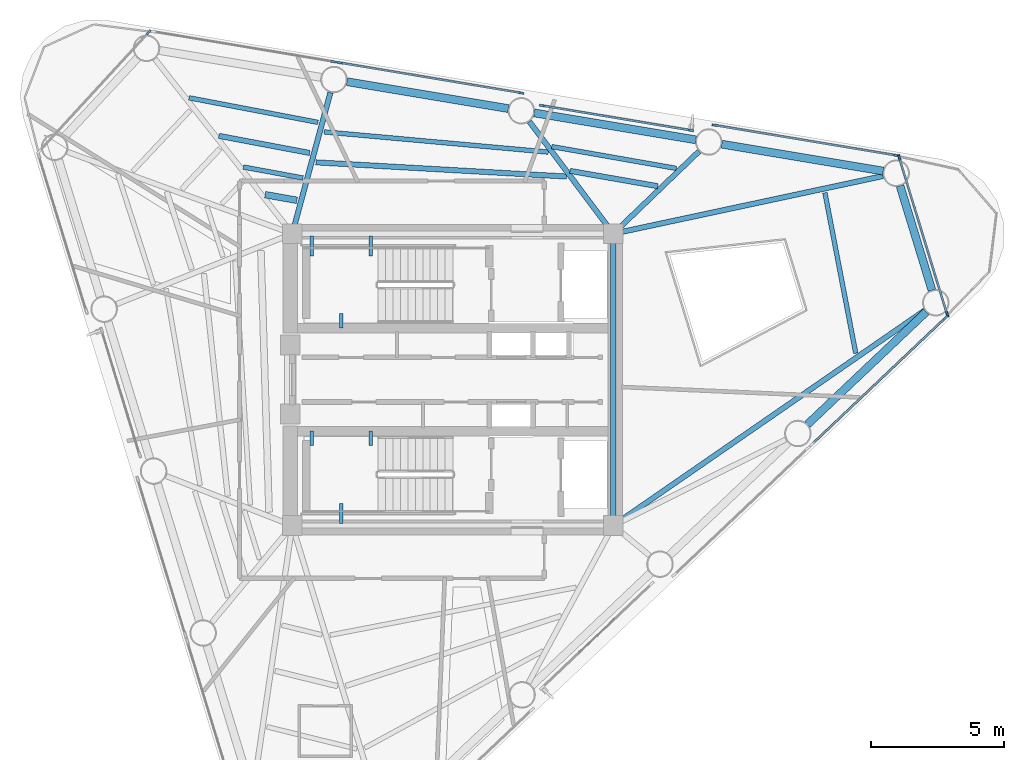
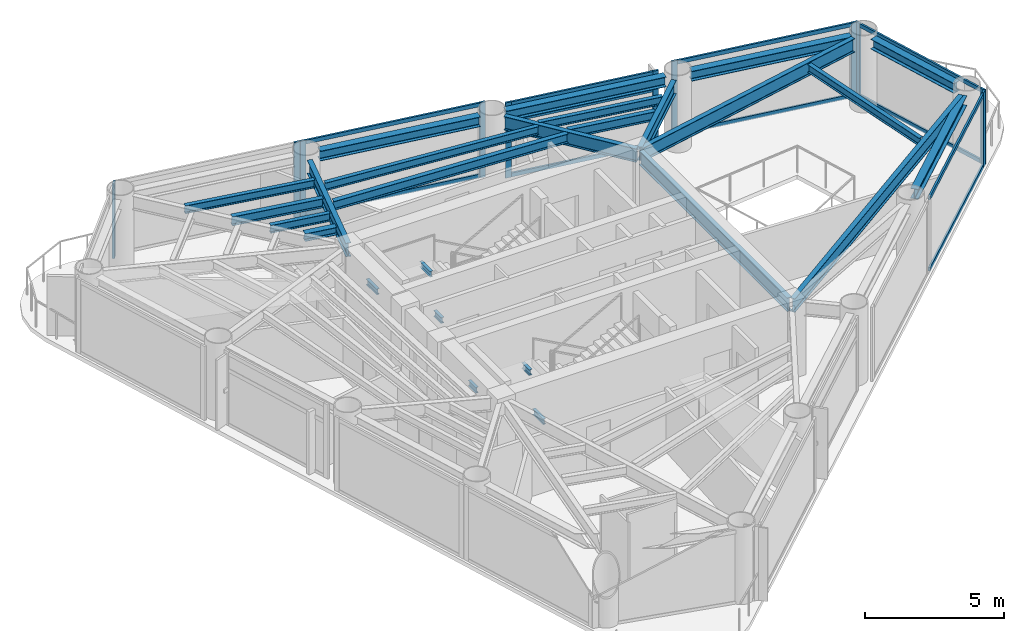
# One storey, part 3 of 9: 26 beams, 22 members, 7 elements without a shape of their own.
"""IFC4 building model written with IfcOpenShell, lengths in metres."""

from ifc_helpers import new_model, si_unit, direction, frame, origin, origin_2d, place, context, subcontext, project, spatial, rectangle, i_section, extrude, source, transform, mapped, material, layer, layer_set, material_profile, profile_set, type_object, element, aggregate, save


model = new_model("IFC4")

# Units and contexts
model_context = context("Model", 3, precision=1e-05, world=origin(), true_north=direction((0.0, 1.0)))
body_context = subcontext(model_context, "Body", "Model", "MODEL_VIEW")
ifc_project = project(units=[si_unit("LENGTHUNIT", "METRE"), si_unit("AREAUNIT", "SQUARE_METRE"), si_unit("VOLUMEUNIT", "CUBIC_METRE"), si_unit("PLANEANGLEUNIT", "RADIAN"), si_unit("MASSUNIT", "GRAM", prefix="KILO")], contexts=[model_context])

# Site, building, storey
site_placement = place(None, origin())
site = spatial("IfcSite", under=ifc_project, at=site_placement, CompositionType="ELEMENT")
building_placement = place(site_placement, origin())
building = spatial("IfcBuilding", under=site, at=building_placement, Name="Yunling Apex Tower", CompositionType="ELEMENT")
storey_placement = place(building_placement, frame((0.0, 0.0, 245.64990234375)))
storey = spatial("IfcBuildingStorey", under=building, at=storey_placement, Name="L60", CompositionType="ELEMENT", Elevation=245.64990234375)

# Beams
ifc_material_1 = material(Name="Steel Q355B", Category="steel")
ifc_material_profile_1 = material_profile(ifc_material_1, i_section(OverallWidth=0.125, OverallDepth=0.25, WebThickness=0.006103515625, FlangeThickness=0.009033203125, FilletRadius=0.011962890625, at=origin_2d()))
ifc_profile_set_1 = profile_set([ifc_material_profile_1], Name="Steel Q355B")
beam_type_1 = type_object("IfcBeamType", Name="BL-LNT-1", PredefinedType="LINTEL", material=ifc_profile_set_1)
shared_shape_1 = source(origin(), body_context, "Body", "SweptSolid", [
    extrude(i_section(OverallWidth=0.125, OverallDepth=0.25, WebThickness=0.006103515625, FlangeThickness=0.009033203125, FilletRadius=0.011962890625, at=origin_2d()), origin(), (0.0, 0.0, 1.0), 0.760009765625),
])
for number, where, z_axis, x_axis, name in (
    (1, (-5.320068359375, 5.419921875, 1.380126953125), (0.0, -1.0, 0.0), (1.0, 0.0, 0.0), "L60 ST-1 Landing Bearing Corbel 1-1"),
    (2, (-3.090087890625, 5.419921875, 1.380126953125), (0.0, -1.0, 0.0), (1.0, 0.0, 0.0), "L60 ST-1 Landing Bearing Corbel 1-2"),
    (3, (-4.205078125, -5.419921875, 1.380126953125), (0.0, 1.0, 0.0), (-1.0, 0.0, 0.0), "L60 ST-2 Landing Bearing Corbel 1-3"),
):
    element("IfcBeam", number, at=place(storey_placement, frame(where, z_axis=z_axis, x_axis=x_axis)), inside=storey, type_object=beam_type_1, Name=name, PredefinedType="LINTEL", context=body_context, shape_type="MappedRepresentation", body=[
        mapped(shared_shape_1, transform((0.0, 0.0, 0.0), scale=1.0)),
    ])
shared_shape_2 = source(origin(), body_context, "Body", "SweptSolid", [
    extrude(i_section(OverallWidth=0.125, OverallDepth=0.25, WebThickness=0.006103515625, FlangeThickness=0.009033203125, FilletRadius=0.011962890625, at=origin_2d()), origin(), (0.0, 0.0, 1.0), 0.550048828125),
])
for number, where, z_axis, x_axis, name in (
    (4, (-4.205078125, 1.93994140625, 1.380126953125), (0.0, 1.0, 0.0), (-1.0, 0.0, 0.0), "L60 ST-1 Landing Bearing Corbel 1-3"),
    (5, (-5.320068359375, -1.93994140625, 1.380126953125), (0.0, -1.0, 0.0), (1.0, 0.0, 0.0), "L60 ST-2 Landing Bearing Corbel 1-1"),
    (6, (-3.090087890625, -1.93994140625, 1.380126953125), (0.0, -1.0, 0.0), (1.0, 0.0, 0.0), "L60 ST-2 Landing Bearing Corbel 1-2"),
):
    element("IfcBeam", number, at=place(storey_placement, frame(where, z_axis=z_axis, x_axis=x_axis)), inside=storey, type_object=beam_type_1, Name=name, PredefinedType="LINTEL", context=body_context, shape_type="MappedRepresentation", body=[
        mapped(shared_shape_2, transform((0.0, 0.0, 0.0), scale=1.0)),
    ])
ifc_material_profile_2 = material_profile(ifc_material_1, i_section(OverallWidth=0.199951171875, OverallDepth=0.60009765625, WebThickness=0.010986328125, FlangeThickness=0.01708984375, FilletRadius=0.02197265625, at=origin_2d()))
ifc_profile_set_2 = profile_set([ifc_material_profile_2], Name="Steel Q355B")
beam_type_2 = type_object("IfcBeamType", Name="BG-PRI-5", PredefinedType="USERDEFINED", material=ifc_profile_set_2)
shared_shape_3 = source(origin(), body_context, "Body", "SweptSolid", [
    extrude(i_section(OverallWidth=0.199951171875, OverallDepth=0.60009765625, WebThickness=0.010986328125, FlangeThickness=0.01708984375, FilletRadius=0.02197265625, at=origin_2d()), origin(), (0.0, 0.0, 1.0), 10.7001953125),
])
beam_1_placement = place(storey_placement, frame((6.050048828125, -5.35009765625, 2.920166015625), z_axis=(0.0, 1.0, 0.0), x_axis=(-1.0, 0.0, 0.0)))
element("IfcBeam", 7, at=beam_1_placement, inside=storey, type_object=beam_type_2, Name="L60 Core Ring Tie Beam 2", ObjectType="GIRDER", PredefinedType="USERDEFINED", context=body_context, shape_type="MappedRepresentation", body=[
    mapped(shared_shape_3, transform((0.0, 0.0, 0.0), scale=1.0)),
])
ifc_material_profile_3 = material_profile(ifc_material_1, i_section(OverallWidth=0.175048828125, OverallDepth=0.35009765625, WebThickness=0.007080078125, FlangeThickness=0.010986328125, FilletRadius=0.013916015625, at=origin_2d()))
ifc_profile_set_3 = profile_set([ifc_material_profile_3], Name="Steel Q355B")
beam_type_3 = type_object("IfcBeamType", Name="BJ-JST-1", PredefinedType="JOIST", material=ifc_profile_set_3)
shared_shape_4 = source(origin(), body_context, "Body", "SweptSolid", [
    extrude(i_section(OverallWidth=0.175048828125, OverallDepth=0.35009765625, WebThickness=0.007080078125, FlangeThickness=0.010986328125, FilletRadius=0.013916015625, at=origin_2d()), origin(), (0.0, 0.0, 1.0), 4.765869140625),
])
beam_2_placement = place(storey_placement, frame((8.42578125, 7.96142578125, 3.045166015625), z_axis=(-0.985022420296, 0.17242630749, 0.0), x_axis=(-0.17242630749, -0.985022420296, 0.0)))
element("IfcBeam", 8, at=beam_2_placement, inside=storey, type_object=beam_type_3, Name="L60 Composite Floor Joist BJ1-7", PredefinedType="JOIST", context=body_context, shape_type="MappedRepresentation", body=[
    mapped(shared_shape_4, transform((0.0, 0.0, 0.0), scale=1.0)),
])
ifc_material_profile_4 = material_profile(ifc_material_1, i_section(OverallWidth=0.300048828125, OverallDepth=0.43994140625, WebThickness=0.010986328125, FlangeThickness=0.01806640625, FilletRadius=0.02197265625, at=origin_2d()))
ifc_profile_set_4 = profile_set([ifc_material_profile_4], Name="Steel Q355B")
beam_type_4 = type_object("IfcBeamType", Name="BP-SPN-3", PredefinedType="SPANDREL", material=ifc_profile_set_4)
shared_shape_5 = source(origin(), body_context, "Body", "SweptSolid", [
    extrude(i_section(OverallWidth=0.300048828125, OverallDepth=0.43994140625, WebThickness=0.010986328125, FlangeThickness=0.01806640625, FilletRadius=0.02197265625, at=origin_2d()), origin(), (0.0, 0.0, 1.0), 6.17333984375),
])
for number, where, z_axis, x_axis, name in (
    (9, (13.36572265625, -1.690185546875, 3.0), (0.725853952128, 0.687848849807, 0.0), (-0.687848849807, 0.725853952128, 0.0), "L60 Perimeter Spandrel Beam 4"),
    (10, (16.224853515625, 7.860595703125, 3.0), (-0.986400336233, 0.164360508275, 0.0), (-0.164360508275, -0.986400336233, 0.0), "L60 Perimeter Spandrel Beam 6"),
    (11, (9.160888671875, 9.03759765625, 3.0), (-0.986400336233, 0.164360508275, 0.0), (-0.164360508275, -0.986400336233, 0.0), "L60 Perimeter Spandrel Beam 7"),
    (12, (2.096923828125, 10.214599609375, 3.0), (-0.986393923832, 0.164398987305, 0.0), (-0.164398987305, -0.986393923832, 0.0), "L60 Perimeter Spandrel Beam 8"),
):
    element("IfcBeam", number, at=place(storey_placement, frame(where, z_axis=z_axis, x_axis=x_axis)), inside=storey, type_object=beam_type_4, Name=name, PredefinedType="SPANDREL", context=body_context, shape_type="MappedRepresentation", body=[
        mapped(shared_shape_5, transform((0.0, 0.0, 0.0), scale=1.0)),
    ])
shared_shape_6 = source(origin(), body_context, "Body", "SweptSolid", [
    extrude(i_section(OverallWidth=0.300048828125, OverallDepth=0.43994140625, WebThickness=0.010986328125, FlangeThickness=0.01806640625, FilletRadius=0.02197265625, at=origin_2d()), origin(), (0.0, 0.0, 1.0), 4.118408203125),
])
beam_3_placement = place(storey_placement, frame((18.060791015625, 3.368408203125, 3.0), z_axis=(-0.292369137572, 0.956305540816, 0.0), x_axis=(-0.956305540816, -0.292369137572, 0.0)))
element("IfcBeam", 13, at=beam_3_placement, inside=storey, type_object=beam_type_4, Name="L60 Perimeter Spandrel Beam 5", PredefinedType="SPANDREL", context=body_context, shape_type="MappedRepresentation", body=[
    mapped(shared_shape_6, transform((0.0, 0.0, 0.0), scale=1.0)),
])
shared_shape_7 = source(origin(), body_context, "Body", "SweptSolid", [
    extrude(i_section(OverallWidth=0.199951171875, OverallDepth=0.60009765625, WebThickness=0.010986328125, FlangeThickness=0.01708984375, FilletRadius=0.02197265625, at=origin_2d()), origin(), (0.0, 0.0, 1.0), 14.18505859375),
])
beam_4_placement = place(storey_placement, frame((17.787353515625, 2.607177734375, 2.920166015625), z_axis=(-0.822805113414, -0.568323627294, 0.0), x_axis=(0.568323627294, -0.822805113414, 0.0)))
element("IfcBeam", 14, at=beam_4_placement, inside=storey, type_object=beam_type_2, Name="L60 Radial Primary Girder R05", ObjectType="GIRDER", PredefinedType="USERDEFINED", context=body_context, shape_type="MappedRepresentation", body=[
    mapped(shared_shape_7, transform((0.0, 0.0, 0.0), scale=1.0)),
])
shared_shape_8 = source(origin(), body_context, "Body", "SweptSolid", [
    extrude(i_section(OverallWidth=0.199951171875, OverallDepth=0.60009765625, WebThickness=0.010986328125, FlangeThickness=0.01708984375, FilletRadius=0.02197265625, at=origin_2d()), origin(), (0.0, 0.0, 1.0), 10.315185546875),
])
beam_5_placement = place(storey_placement, frame((16.21533203125, 7.673095703125, 2.920166015625), z_axis=(-0.977902402009, -0.209061933755, 0.0), x_axis=(0.209061933755, -0.977902402009, 0.0)))
element("IfcBeam", 15, at=beam_5_placement, inside=storey, type_object=beam_type_2, Name="L60 Radial Primary Girder R06", ObjectType="GIRDER", PredefinedType="USERDEFINED", context=body_context, shape_type="MappedRepresentation", body=[
    mapped(shared_shape_8, transform((0.0, 0.0, 0.0), scale=1.0)),
])
shared_shape_9 = source(origin(), body_context, "Body", "SweptSolid", [
    extrude(i_section(OverallWidth=0.199951171875, OverallDepth=0.60009765625, WebThickness=0.010986328125, FlangeThickness=0.01708984375, FilletRadius=0.02197265625, at=origin_2d()), origin(), (0.0, 0.0, 1.0), 4.4013671875),
])
beam_6_placement = place(storey_placement, frame((9.28173828125, 8.6044921875, 2.920166015625), z_axis=(-0.721164480273, -0.69276387925, 0.0), x_axis=(0.69276387925, -0.721164480273, 0.0)))
element("IfcBeam", 16, at=beam_6_placement, inside=storey, type_object=beam_type_2, Name="L60 Radial Primary Girder R07", ObjectType="GIRDER", PredefinedType="USERDEFINED", context=body_context, shape_type="MappedRepresentation", body=[
    mapped(shared_shape_9, transform((0.0, 0.0, 0.0), scale=1.0)),
])
shared_shape_10 = source(origin(), body_context, "Body", "SweptSolid", [
    extrude(i_section(OverallWidth=0.199951171875, OverallDepth=0.60009765625, WebThickness=0.010986328125, FlangeThickness=0.01708984375, FilletRadius=0.02197265625, at=origin_2d()), origin(), (0.0, 0.0, 1.0), 5.1982421875),
])
beam_7_placement = place(storey_placement, frame((2.888427734375, 9.726806640625, 2.920166015625), z_axis=(0.598992593476, -0.800754564746, 0.0), x_axis=(0.800754564746, 0.598992593476, 0.0)))
element("IfcBeam", 17, at=beam_7_placement, inside=storey, type_object=beam_type_2, Name="L60 Radial Primary Girder R08", ObjectType="GIRDER", PredefinedType="USERDEFINED", context=body_context, shape_type="MappedRepresentation", body=[
    mapped(shared_shape_10, transform((0.0, 0.0, 0.0), scale=1.0)),
])
shared_shape_11 = source(origin(), body_context, "Body", "SweptSolid", [
    extrude(i_section(OverallWidth=0.199951171875, OverallDepth=0.60009765625, WebThickness=0.010986328125, FlangeThickness=0.01708984375, FilletRadius=0.02197265625, at=origin_2d()), origin(), (0.0, 0.0, 1.0), 5.43115234375),
])
beam_8_placement = place(storey_placement, frame((-4.6123046875, 10.8203125, 2.920166015625), z_axis=(-0.26085354679, -0.965378385467, 0.0), x_axis=(0.965378385467, -0.26085354679, 0.0)))
element("IfcBeam", 18, at=beam_8_placement, inside=storey, type_object=beam_type_2, Name="L60 Radial Primary Girder R09", ObjectType="GIRDER", PredefinedType="USERDEFINED", context=body_context, shape_type="MappedRepresentation", body=[
    mapped(shared_shape_11, transform((0.0, 0.0, 0.0), scale=1.0)),
])
shared_shape_12 = source(origin(), body_context, "Body", "SweptSolid", [
    extrude(i_section(OverallWidth=0.175048828125, OverallDepth=0.35009765625, WebThickness=0.007080078125, FlangeThickness=0.010986328125, FilletRadius=0.013916015625, at=origin_2d()), origin(), (0.0, 0.0, 1.0), 6.16162109375),
])
beam_9_placement = place(storey_placement, frame((15.189453125, 0.99072265625, 3.045166015625), z_axis=(-0.188765094227, 0.982022270217, 0.0), x_axis=(-0.982022270217, -0.188765094227, 0.0)))
element("IfcBeam", 19, at=beam_9_placement, inside=storey, type_object=beam_type_3, Name="L60 Composite Floor Joist BJ1-5", PredefinedType="JOIST", context=body_context, shape_type="MappedRepresentation", body=[
    mapped(shared_shape_12, transform((0.0, 0.0, 0.0), scale=1.0)),
])
ifc_material_profile_5 = material_profile(ifc_material_1, i_section(OverallWidth=0.199951171875, OverallDepth=0.39990234375, WebThickness=0.008056640625, FlangeThickness=0.012939453125, FilletRadius=0.01611328125, at=origin_2d()))
ifc_profile_set_5 = profile_set([ifc_material_profile_5], Name="Steel Q355B")
beam_type_5 = type_object("IfcBeamType", Name="BS-SEC-4", PredefinedType="BEAM", material=ifc_profile_set_5)
shared_shape_13 = source(origin(), body_context, "Body", "SweptSolid", [
    extrude(i_section(OverallWidth=0.199951171875, OverallDepth=0.39990234375, WebThickness=0.008056640625, FlangeThickness=0.012939453125, FilletRadius=0.01611328125, at=origin_2d()), origin(), (0.0, 0.0, 1.0), 3.361572265625),
])
beam_10_placement = place(storey_placement, frame((7.7275390625, 7.290283203125, 3.02001953125), z_axis=(-0.985137567958, 0.171767203496, 0.0), x_axis=(-0.171767203496, -0.985137567958, 0.0)))
element("IfcBeam", 20, at=beam_10_placement, inside=storey, type_object=beam_type_5, Name="L60 Composite Floor Beam BS-7", PredefinedType="BEAM", context=body_context, shape_type="MappedRepresentation", body=[
    mapped(shared_shape_13, transform((0.0, 0.0, 0.0), scale=1.0)),
])
shared_shape_14 = source(origin(), body_context, "Body", "SweptSolid", [
    extrude(i_section(OverallWidth=0.199951171875, OverallDepth=0.39990234375, WebThickness=0.008056640625, FlangeThickness=0.012939453125, FilletRadius=0.01611328125, at=origin_2d()), origin(), (0.0, 0.0, 1.0), 9.461669921875),
])
beam_11_placement = place(storey_placement, frame((4.28564453125, 7.654541015625, 3.02001953125), z_axis=(-0.998399180074, 0.05656038567, 0.0), x_axis=(-0.05656038567, -0.998399180074, 0.0)))
element("IfcBeam", 21, at=beam_11_placement, inside=storey, type_object=beam_type_5, Name="L60 Composite Floor Beam BS-8", PredefinedType="BEAM", context=body_context, shape_type="MappedRepresentation", body=[
    mapped(shared_shape_14, transform((0.0, 0.0, 0.0), scale=1.0)),
])
shared_shape_15 = source(origin(), body_context, "Body", "SweptSolid", [
    extrude(i_section(OverallWidth=0.175048828125, OverallDepth=0.35009765625, WebThickness=0.007080078125, FlangeThickness=0.010986328125, FilletRadius=0.013916015625, at=origin_2d()), origin(), (0.0, 0.0, 1.0), 8.485107421875),
])
beam_12_placement = place(storey_placement, frame((3.60107421875, 8.575439453125, 3.045166015625), z_axis=(-0.995954531999, 0.089858612221, 0.0), x_axis=(-0.089858612221, -0.995954531999, 0.0)))
element("IfcBeam", 22, at=beam_12_placement, inside=storey, type_object=beam_type_3, Name="L60 Composite Floor Joist BJ1-8", PredefinedType="JOIST", context=body_context, shape_type="MappedRepresentation", body=[
    mapped(shared_shape_15, transform((0.0, 0.0, 0.0), scale=1.0)),
])
shared_shape_16 = source(origin(), body_context, "Body", "SweptSolid", [
    extrude(i_section(OverallWidth=0.199951171875, OverallDepth=0.39990234375, WebThickness=0.008056640625, FlangeThickness=0.012939453125, FilletRadius=0.01611328125, at=origin_2d()), origin(), (0.0, 0.0, 1.0), 3.482421875),
])
beam_13_placement = place(storey_placement, frame((-5.392822265625, 8.54296875, 3.02001953125), z_axis=(-0.98272425545, 0.185075762191, 0.0), x_axis=(-0.185075762191, -0.98272425545, 0.0)))
element("IfcBeam", 23, at=beam_13_placement, inside=storey, type_object=beam_type_5, Name="L60 Composite Floor Beam BS-9", PredefinedType="BEAM", context=body_context, shape_type="MappedRepresentation", body=[
    mapped(shared_shape_16, transform((0.0, 0.0, 0.0), scale=1.0)),
])
shared_shape_17 = source(origin(), body_context, "Body", "SweptSolid", [
    extrude(i_section(OverallWidth=0.175048828125, OverallDepth=0.35009765625, WebThickness=0.007080078125, FlangeThickness=0.010986328125, FilletRadius=0.013916015625, at=origin_2d()), origin(), (0.0, 0.0, 1.0), 4.949951171875),
])
beam_14_placement = place(storey_placement, frame((-5.081298828125, 9.69677734375, 3.045166015625), z_axis=(-0.982345041362, 0.187078111256, 0.0), x_axis=(-0.187078111256, -0.982345041362, 0.0)))
element("IfcBeam", 24, at=beam_14_placement, inside=storey, type_object=beam_type_3, Name="L60 Composite Floor Joist BJ1-9", PredefinedType="JOIST", context=body_context, shape_type="MappedRepresentation", body=[
    mapped(shared_shape_17, transform((0.0, 0.0, 0.0), scale=1.0)),
])
shared_shape_18 = source(origin(), body_context, "Body", "SweptSolid", [
    extrude(i_section(OverallWidth=0.175048828125, OverallDepth=0.35009765625, WebThickness=0.007080078125, FlangeThickness=0.010986328125, FilletRadius=0.013916015625, at=origin_2d()), origin(), (0.0, 0.0, 1.0), 2.28173828125),
])
beam_15_placement = place(storey_placement, frame((-5.64794921875, 7.5986328125, 3.045166015625), z_axis=(-0.983336596367, 0.181794219503, 0.0), x_axis=(-0.181794219503, -0.983336596367, 0.0)))
element("IfcBeam", 25, at=beam_15_placement, inside=storey, type_object=beam_type_3, Name="L60 Composite Floor Joist BJ3-9", PredefinedType="JOIST", context=body_context, shape_type="MappedRepresentation", body=[
    mapped(shared_shape_18, transform((0.0, 0.0, 0.0), scale=1.0)),
])
ifc_material_profile_6 = material_profile(ifc_material_1, i_section(OverallWidth=0.25, OverallDepth=0.340087890625, WebThickness=0.009033203125, FlangeThickness=0.013916015625, FilletRadius=0.01806640625, at=origin_2d()))
ifc_profile_set_6 = profile_set([ifc_material_profile_6], Name="Steel Q355B")
beam_type_6 = type_object("IfcBeamType", Name="BJ-JST-2", PredefinedType="JOIST", material=ifc_profile_set_6)
shared_shape_19 = source(origin(), body_context, "Body", "SweptSolid", [
    extrude(i_section(OverallWidth=0.25, OverallDepth=0.340087890625, WebThickness=0.009033203125, FlangeThickness=0.013916015625, FilletRadius=0.01806640625, at=origin_2d()), origin(), (0.0, 0.0, 1.0), 1.214111328125),
])
beam_16_placement = place(storey_placement, frame((-5.875, 6.758544921875, 3.050048828125), z_axis=(-0.98465170233, 0.174530871477, 0.0), x_axis=(-0.174530871477, -0.98465170233, 0.0)))
element("IfcBeam", 26, at=beam_16_placement, inside=storey, type_object=beam_type_6, Name="L60 Composite Floor Joist BJ2-9", PredefinedType="JOIST", context=body_context, shape_type="MappedRepresentation", body=[
    mapped(shared_shape_19, transform((0.0, 0.0, 0.0), scale=1.0)),
])

# Curtain wall, member
ifc_material_2 = material(Name="Bronze anodised aluminium", Category="aluminium")
ifc_layer = layer(ifc_material_2, 0.219970703125)
ifc_layer_set = layer_set([ifc_layer], Name="Bronze anodised aluminium")
curtain_wall_type = type_object("IfcCurtainWallType", Name="CW-SYS-4", PredefinedType="NOTDEFINED", material=ifc_layer_set)
curtain_wall_1_placement = place(storey_placement, origin())
curtain_wall_1 = element("IfcCurtainWall", 27, at=curtain_wall_1_placement, inside=storey, type_object=curtain_wall_type, Name="CW-L60-F1-B4", PredefinedType="NOTDEFINED")
ifc_material_profile_7 = material_profile(ifc_material_2, rectangle(XDim=0.080078125, YDim=0.219970703125, at=origin_2d()))
ifc_profile_set_7 = profile_set([ifc_material_profile_7], Name="Bronze anodised aluminium")
member_type_1 = type_object("IfcMemberType", Name="CW-MUL-4", PredefinedType="MULLION", material=ifc_profile_set_7)
shared_shape_20 = source(origin(), body_context, "Body", "SweptSolid", [
    extrude(rectangle(XDim=0.080078125, YDim=0.219970703125, at=origin_2d()), origin(), (0.0, 0.0, 1.0), 3.31982421875),
])
member_1_placement = place(storey_placement, frame((18.572265625, 2.334228515625, -0.0498046875), z_axis=(0.0, 0.0, 1.0), x_axis=(-0.687848040467, 0.72585471909, 0.0)))
member_1 = element("IfcMember", 28, at=member_1_placement, type_object=member_type_1, Name="CW-SYS-4 mullion 2", PredefinedType="MULLION", context=body_context, shape_type="MappedRepresentation", body=[
    mapped(shared_shape_20, transform((0.0, 0.0, 0.0), scale=1.0)),
])

# Curtain wall, members
curtain_wall_2_placement = place(storey_placement, origin())
curtain_wall_2 = element("IfcCurtainWall", 29, at=curtain_wall_2_placement, inside=storey, type_object=curtain_wall_type, Name="CW-L60-CRN1", PredefinedType="NOTDEFINED")
member_2_placement = place(storey_placement, frame((18.6337890625, 2.469482421875, -0.0498046875), z_axis=(0.0, 0.0, 1.0), x_axis=(-0.956305498685, -0.292369275379, 0.0)))
member_2 = element("IfcMember", 30, at=member_2_placement, type_object=member_type_1, Name="CW-SYS-4 mullion 1", PredefinedType="MULLION", context=body_context, shape_type="MappedRepresentation", body=[
    mapped(shared_shape_20, transform((0.0, 0.0, 0.0), scale=1.0)),
])
member_3_placement = place(storey_placement, frame((16.8291015625, 8.37255859375, -0.0498046875), z_axis=(0.0, 0.0, 1.0), x_axis=(-0.956305498685, -0.292369275379, 0.0)))
member_3 = element("IfcMember", 31, at=member_3_placement, type_object=member_type_1, Name="CW-SYS-4 mullion 2", PredefinedType="MULLION", context=body_context, shape_type="MappedRepresentation", body=[
    mapped(shared_shape_20, transform((0.0, 0.0, 0.0), scale=1.0)),
])

curtain_wall_3_placement = place(storey_placement, origin())
curtain_wall_3 = element("IfcCurtainWall", 32, at=curtain_wall_3_placement, inside=storey, type_object=curtain_wall_type, Name="CW-L60-F2-B1", PredefinedType="NOTDEFINED")
member_4_placement = place(storey_placement, frame((16.702392578125, 8.4501953125, -0.0498046875), z_axis=(0.0, 0.0, 1.0), x_axis=(-0.164352664392, -0.9864016432, 0.0)))
member_4 = element("IfcMember", 33, at=member_4_placement, type_object=member_type_1, Name="CW-SYS-4 mullion 1", PredefinedType="MULLION", context=body_context, shape_type="MappedRepresentation", body=[
    mapped(shared_shape_20, transform((0.0, 0.0, 0.0), scale=1.0)),
])
member_5_placement = place(storey_placement, frame((9.875, 9.587890625, -0.0498046875), z_axis=(0.0, 0.0, 1.0), x_axis=(-0.164352664392, -0.9864016432, 0.0)))
member_5 = element("IfcMember", 34, at=member_5_placement, type_object=member_type_1, Name="CW-SYS-4 mullion 2", PredefinedType="MULLION", context=body_context, shape_type="MappedRepresentation", body=[
    mapped(shared_shape_20, transform((0.0, 0.0, 0.0), scale=1.0)),
])

curtain_wall_4_placement = place(storey_placement, origin())
curtain_wall_4 = element("IfcCurtainWall", 35, at=curtain_wall_4_placement, inside=storey, type_object=curtain_wall_type, Name="CW-L60-F2-B2", PredefinedType="NOTDEFINED")
member_6_placement = place(storey_placement, frame((8.970947265625, 9.393798828125, -0.0498046875), z_axis=(0.0, 0.0, 1.0), x_axis=(-0.164370840747, -0.986398614513, 0.0)))
member_6 = element("IfcMember", 36, at=member_6_placement, type_object=member_type_1, Name="CW-SYS-4 mullion 1", PredefinedType="MULLION", context=body_context, shape_type="MappedRepresentation", body=[
    mapped(shared_shape_20, transform((0.0, 0.0, 0.0), scale=1.0)),
])
member_7_placement = place(storey_placement, frame((3.36669921875, 10.32763671875, -0.0498046875), z_axis=(0.0, 0.0, 1.0), x_axis=(-0.164370840747, -0.986398614513, 0.0)))
member_7 = element("IfcMember", 37, at=member_7_placement, type_object=member_type_1, Name="CW-SYS-4 mullion 2", PredefinedType="MULLION", context=body_context, shape_type="MappedRepresentation", body=[
    mapped(shared_shape_20, transform((0.0, 0.0, 0.0), scale=1.0)),
])

curtain_wall_5_placement = place(storey_placement, origin())
curtain_wall_5 = element("IfcCurtainWall", 38, at=curtain_wall_5_placement, inside=storey, type_object=curtain_wall_type, Name="CW-L60-F2-B3", PredefinedType="NOTDEFINED")
member_8_placement = place(storey_placement, frame((2.574462890625, 10.804443359375, -0.0498046875), z_axis=(0.0, 0.0, 1.0), x_axis=(-0.164352664392, -0.9864016432, 0.0)))
member_8 = element("IfcMember", 39, at=member_8_placement, type_object=member_type_1, Name="CW-SYS-4 mullion 1", PredefinedType="MULLION", context=body_context, shape_type="MappedRepresentation", body=[
    mapped(shared_shape_20, transform((0.0, 0.0, 0.0), scale=1.0)),
])
member_9_placement = place(storey_placement, frame((-4.2529296875, 11.94189453125, -0.0498046875), z_axis=(0.0, 0.0, 1.0), x_axis=(-0.164352664392, -0.9864016432, 0.0)))
member_9 = element("IfcMember", 40, at=member_9_placement, type_object=member_type_1, Name="CW-SYS-4 mullion 2", PredefinedType="MULLION", context=body_context, shape_type="MappedRepresentation", body=[
    mapped(shared_shape_20, transform((0.0, 0.0, 0.0), scale=1.0)),
])

# Curtain wall, member
curtain_wall_6_placement = place(storey_placement, origin())
curtain_wall_6 = element("IfcCurtainWall", 41, at=curtain_wall_6_placement, inside=storey, type_object=curtain_wall_type, Name="CW-L60-F2-B4", PredefinedType="NOTDEFINED")
member_10_placement = place(storey_placement, frame((-4.48974609375, 11.9814453125, -0.0498046875), z_axis=(0.0, 0.0, 1.0), x_axis=(-0.164352664392, -0.9864016432, 0.0)))
member_10 = element("IfcMember", 42, at=member_10_placement, type_object=member_type_1, Name="CW-SYS-4 mullion 1", PredefinedType="MULLION", context=body_context, shape_type="MappedRepresentation", body=[
    mapped(shared_shape_20, transform((0.0, 0.0, 0.0), scale=1.0)),
])
aggregate(curtain_wall_6, [member_10])

curtain_wall_7_placement = place(storey_placement, origin())
curtain_wall_7 = element("IfcCurtainWall", 43, at=curtain_wall_7_placement, inside=storey, type_object=curtain_wall_type, Name="CW-L60-CRN2", PredefinedType="NOTDEFINED")
member_11_placement = place(storey_placement, frame((-11.465576171875, 13.08935546875, -0.0498046875), z_axis=(0.0, 0.0, 1.0), x_axis=(0.736133922549, -0.676835909266, 0.0)))
member_11 = element("IfcMember", 44, at=member_11_placement, type_object=member_type_1, Name="CW-SYS-4 mullion 1", PredefinedType="MULLION", context=body_context, shape_type="MappedRepresentation", body=[
    mapped(shared_shape_20, transform((0.0, 0.0, 0.0), scale=1.0)),
])
aggregate(curtain_wall_7, [member_11])

# Member
ifc_material_profile_8 = material_profile(ifc_material_2, rectangle(XDim=0.080078125, YDim=0.169921875, at=origin_2d()))
ifc_profile_set_8 = profile_set([ifc_material_profile_8], Name="Bronze anodised aluminium")
member_type_2 = type_object("IfcMemberType", Name="CW-TRN-4", PredefinedType="USERDEFINED", material=ifc_profile_set_8)
shared_shape_21 = source(origin(), body_context, "Body", "SweptSolid", [
    extrude(rectangle(XDim=0.080078125, YDim=0.169921875, at=origin_2d()), origin(), (0.0, 0.0, 1.0), 6.849365234375),
])
member_12_placement = place(storey_placement, frame((13.574462890625, -2.40185546875, 0.0400390625), z_axis=(0.725849647065, 0.687853392705, 0.0), x_axis=(-0.687853392705, 0.725849647065, 0.0)))
member_12 = element("IfcMember", 45, at=member_12_placement, type_object=member_type_2, Name="CW-SYS-4 transom 1.1", ObjectType="TRANSOM", PredefinedType="USERDEFINED", context=body_context, shape_type="MappedRepresentation", body=[
    mapped(shared_shape_21, transform((0.0, 0.0, 0.0), scale=1.0)),
])

member_13_placement = place(storey_placement, frame((13.574462890625, -2.40185546875, 3.18017578125), z_axis=(0.725849647065, 0.687853392705, 0.0), x_axis=(-0.687853392705, 0.725849647065, 0.0)))
member_13 = element("IfcMember", 46, at=member_13_placement, type_object=member_type_2, Name="CW-SYS-4 transom 1.2", ObjectType="TRANSOM", PredefinedType="USERDEFINED", context=body_context, shape_type="MappedRepresentation", body=[
    mapped(shared_shape_21, transform((0.0, 0.0, 0.0), scale=1.0)),
])

aggregate(curtain_wall_1, [member_1, member_12, member_13])

member_14_placement = place(storey_placement, frame((16.666748046875, 8.456298828125, 0.0400390625), z_axis=(-0.986400666628, 0.164358525415, 0.0), x_axis=(-0.164358525415, -0.986400666628, 0.0)))
member_14 = element("IfcMember", 47, at=member_14_placement, type_object=member_type_2, Name="CW-SYS-4 transom 1.1", ObjectType="TRANSOM", PredefinedType="USERDEFINED", context=body_context, shape_type="MappedRepresentation", body=[
    mapped(shared_shape_21, transform((0.0, 0.0, 0.0), scale=1.0)),
])

member_15_placement = place(storey_placement, frame((16.666748046875, 8.456298828125, 3.18017578125), z_axis=(-0.986400666628, 0.164358525415, 0.0), x_axis=(-0.164358525415, -0.986400666628, 0.0)))
member_15 = element("IfcMember", 48, at=member_15_placement, type_object=member_type_2, Name="CW-SYS-4 transom 1.2", ObjectType="TRANSOM", PredefinedType="USERDEFINED", context=body_context, shape_type="MappedRepresentation", body=[
    mapped(shared_shape_21, transform((0.0, 0.0, 0.0), scale=1.0)),
])

aggregate(curtain_wall_3, [member_4, member_5, member_14, member_15])

shared_shape_22 = source(origin(), body_context, "Body", "SweptSolid", [
    extrude(rectangle(XDim=0.080078125, YDim=0.169921875, at=origin_2d()), origin(), (0.0, 0.0, 1.0), 6.100830078125),
])
member_16_placement = place(storey_placement, frame((18.623291015625, 2.50390625, 0.0400390625), z_axis=(-0.292370017789, 0.956305271709, 0.0), x_axis=(-0.956305271709, -0.292370017789, 0.0)))
member_16 = element("IfcMember", 49, at=member_16_placement, type_object=member_type_2, Name="CW-SYS-4 transom 1.1", ObjectType="TRANSOM", PredefinedType="USERDEFINED", context=body_context, shape_type="MappedRepresentation", body=[
    mapped(shared_shape_22, transform((0.0, 0.0, 0.0), scale=1.0)),
])

member_17_placement = place(storey_placement, frame((18.623291015625, 2.50390625, 3.18017578125), z_axis=(-0.292370017789, 0.956305271709, 0.0), x_axis=(-0.956305271709, -0.292370017789, 0.0)))
member_17 = element("IfcMember", 50, at=member_17_placement, type_object=member_type_2, Name="CW-SYS-4 transom 1.2", ObjectType="TRANSOM", PredefinedType="USERDEFINED", context=body_context, shape_type="MappedRepresentation", body=[
    mapped(shared_shape_22, transform((0.0, 0.0, 0.0), scale=1.0)),
])

aggregate(curtain_wall_2, [member_2, member_3, member_16, member_17])

shared_shape_23 = source(origin(), body_context, "Body", "SweptSolid", [
    extrude(rectangle(XDim=0.080078125, YDim=0.169921875, at=origin_2d()), origin(), (0.0, 0.0, 1.0), 5.609375),
])
member_18_placement = place(storey_placement, frame((8.935302734375, 9.399658203125, 0.0400390625), z_axis=(-0.986395100144, 0.164391929279, 0.0), x_axis=(-0.164391929279, -0.986395100144, 0.0)))
member_18 = element("IfcMember", 51, at=member_18_placement, type_object=member_type_2, Name="CW-SYS-4 transom 1.1", ObjectType="TRANSOM", PredefinedType="USERDEFINED", context=body_context, shape_type="MappedRepresentation", body=[
    mapped(shared_shape_23, transform((0.0, 0.0, 0.0), scale=1.0)),
])

member_19_placement = place(storey_placement, frame((8.935302734375, 9.399658203125, 2.447265625), z_axis=(-0.986395100144, 0.164391929279, 0.0), x_axis=(-0.164391929279, -0.986395100144, 0.0)))
member_19 = element("IfcMember", 52, at=member_19_placement, type_object=member_type_2, Name="CW-SYS-4 transom 1.2", ObjectType="TRANSOM", PredefinedType="USERDEFINED", context=body_context, shape_type="MappedRepresentation", body=[
    mapped(shared_shape_23, transform((0.0, 0.0, 0.0), scale=1.0)),
])

member_20_placement = place(storey_placement, frame((8.935302734375, 9.399658203125, 3.18017578125), z_axis=(-0.986395100144, 0.164391929279, 0.0), x_axis=(-0.164391929279, -0.986395100144, 0.0)))
member_20 = element("IfcMember", 53, at=member_20_placement, type_object=member_type_2, Name="CW-SYS-4 transom 1.3", ObjectType="TRANSOM", PredefinedType="USERDEFINED", context=body_context, shape_type="MappedRepresentation", body=[
    mapped(shared_shape_23, transform((0.0, 0.0, 0.0), scale=1.0)),
])

aggregate(curtain_wall_4, [member_6, member_7, member_18, member_19, member_20])

shared_shape_24 = source(origin(), body_context, "Body", "SweptSolid", [
    extrude(rectangle(XDim=0.080078125, YDim=0.169921875, at=origin_2d()), origin(), (0.0, 0.0, 1.0), 6.849609375),
])
member_21_placement = place(storey_placement, frame((2.538818359375, 10.810302734375, 0.0400390625), z_axis=(-0.986401629478, 0.164352746749, 0.0), x_axis=(-0.164352746749, -0.986401629478, 0.0)))
member_21 = element("IfcMember", 54, at=member_21_placement, type_object=member_type_2, Name="CW-SYS-4 transom 1.1", ObjectType="TRANSOM", PredefinedType="USERDEFINED", context=body_context, shape_type="MappedRepresentation", body=[
    mapped(shared_shape_24, transform((0.0, 0.0, 0.0), scale=1.0)),
])

member_22_placement = place(storey_placement, frame((2.538818359375, 10.810302734375, 3.18017578125), z_axis=(-0.986401629478, 0.164352746749, 0.0), x_axis=(-0.164352746749, -0.986401629478, 0.0)))
member_22 = element("IfcMember", 55, at=member_22_placement, type_object=member_type_2, Name="CW-SYS-4 transom 1.2", ObjectType="TRANSOM", PredefinedType="USERDEFINED", context=body_context, shape_type="MappedRepresentation", body=[
    mapped(shared_shape_24, transform((0.0, 0.0, 0.0), scale=1.0)),
])

aggregate(curtain_wall_5, [member_8, member_9, member_21, member_22])

save(model, "model.ifc")
